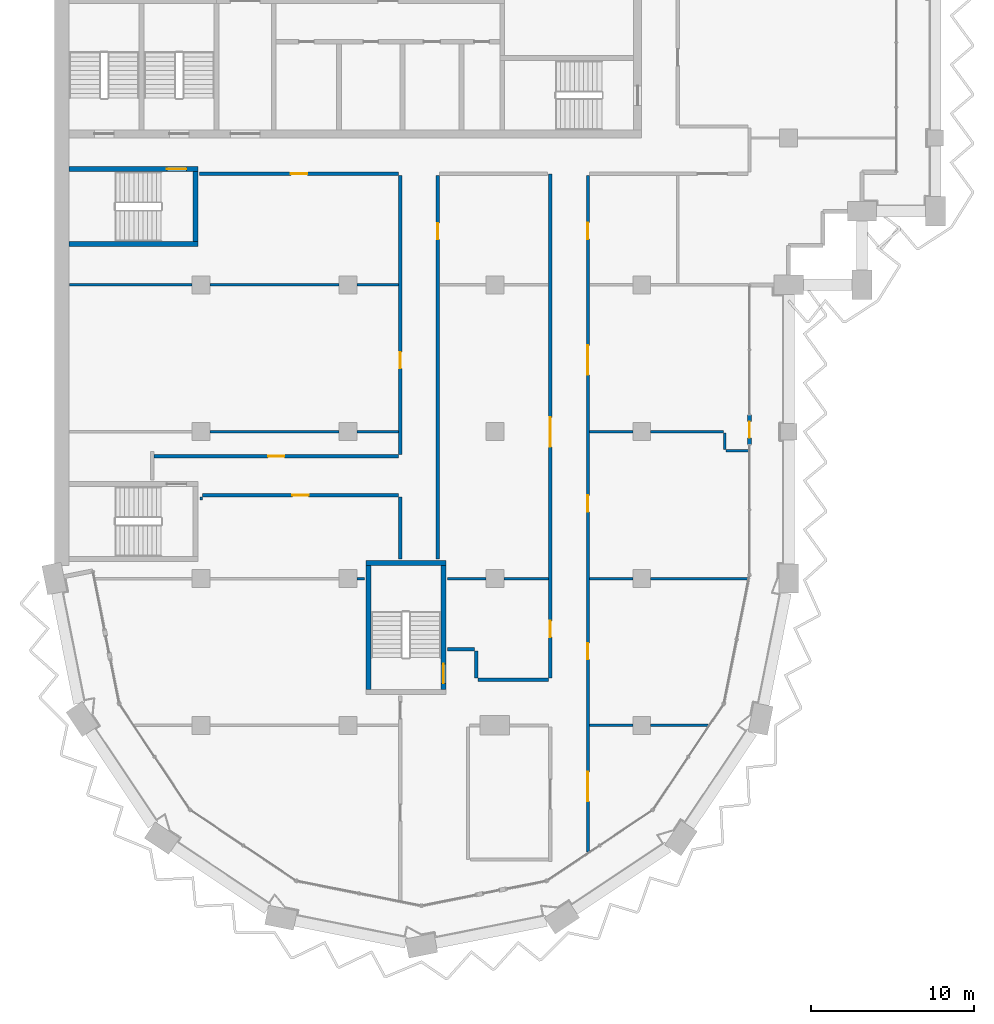
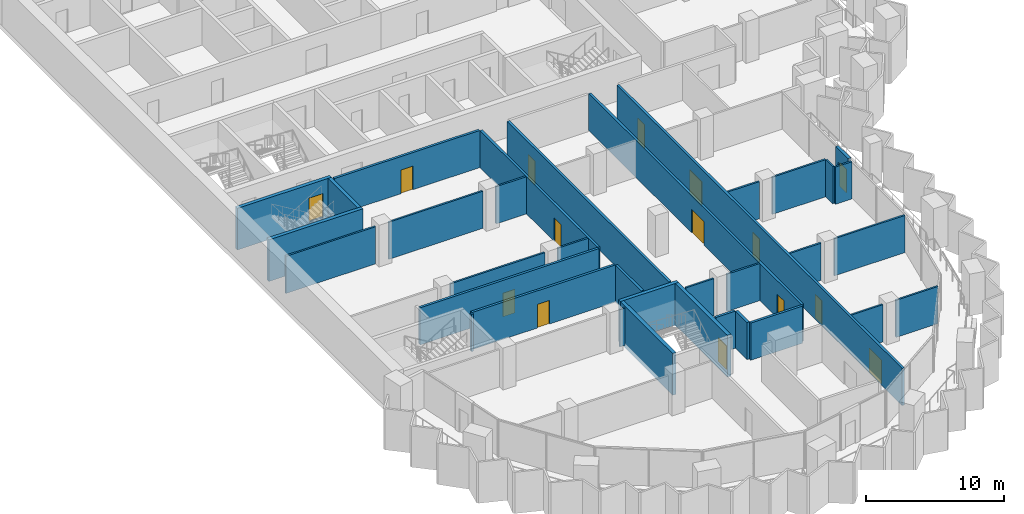
# One storey, part 8 of 17: 35 walls, 15 doors, 15 openings.
"""IFC4 building model written with IfcOpenShell, lengths in metres."""

from ifc_helpers import new_model, si_unit, direction, frame, frame_2d, origin, place, context, subcontext, project, spatial, rectangle, extrude, material, layer, layer_set, type_object, element, fill, save


model = new_model("IFC4")

# Units and contexts
model_context = context("Model", 3, precision=1e-05, world=origin(), true_north=direction((0.0, 1.0)))
body_context = subcontext(model_context, "Body", "Model", "MODEL_VIEW")
ifc_project = project(units=[si_unit("LENGTHUNIT", "METRE"), si_unit("AREAUNIT", "SQUARE_METRE"), si_unit("VOLUMEUNIT", "CUBIC_METRE"), si_unit("PLANEANGLEUNIT", "RADIAN"), si_unit("MASSUNIT", "GRAM", prefix="KILO")], contexts=[model_context])

# Site, building, storey
site_placement = place(None, origin())
site = spatial("IfcSite", under=ifc_project, at=site_placement, CompositionType="ELEMENT")
building_placement = place(site_placement, origin())
building = spatial("IfcBuilding", under=site, at=building_placement, Name="Hunhe Ridgeline Campus", CompositionType="ELEMENT")
storey_placement = place(building_placement, frame((0.0, 0.0, 205.0)))
storey = spatial("IfcBuildingStorey", under=building, at=storey_placement, Name="L52", CompositionType="ELEMENT", Elevation=205.0)

# Walls
ifc_material_1 = material(Name="Gypsum board partition")
ifc_layer_1 = layer(ifc_material_1, 0.199951171875)
ifc_layer_set_1 = layer_set([ifc_layer_1], Name="Corridor partition 200 gypsum board on steel studs")
wall_type_1 = type_object("IfcWallType", Name="Corridor partition 200 gypsum board on steel studs", PredefinedType="PARTITIONING", material=ifc_layer_set_1)
wall_1_placement = place(storey_placement, frame((25.949951171875, 29.799072265625, 0.0), z_axis=(0.0, 0.0, 1.0), x_axis=(1.0, 0.0, 0.0)))
element("IfcWall", 1, at=wall_1_placement, inside=storey, type_object=wall_type_1, Name="F-L52-wall-009", PredefinedType="PARTITIONING", context=body_context, shape_type="SweptSolid", body=[
    extrude(rectangle(XDim=4.35009765625, YDim=0.199951171875, at=frame_2d((2.175048828125, 0.0))), origin(), (0.0, 0.0, 1.0), 3.300048828125),
])
wall_2_placement = place(storey_placement, frame((24.10400390625, 31.675048828125, 0.0), z_axis=(0.0, 0.0, 1.0), x_axis=(1.0, 0.0, 0.0)))
element("IfcWall", 2, at=wall_2_placement, inside=storey, type_object=wall_type_1, Name="F-L52-wall-010", PredefinedType="PARTITIONING", context=body_context, shape_type="SweptSolid", body=[
    extrude(rectangle(XDim=1.64599609375, YDim=0.199951171875, at=frame_2d((0.822998046875, 0.0))), origin(), (0.0, 0.0, 1.0), 3.300048828125),
])

# Wall, opening, door
wall_3_placement = place(storey_placement, frame((21.10009765625, 41.10009765625, 0.0), z_axis=(0.0, 0.0, 1.0), x_axis=(-1.0, 0.0, 0.0)))
wall_3 = element("IfcWall", 3, at=wall_3_placement, inside=storey, type_object=wall_type_1, Name="F-L52-wall-018", PredefinedType="PARTITIONING", context=body_context, shape_type="SweptSolid", body=[
    extrude(rectangle(XDim=12.025146484375, YDim=0.199951171875, at=frame_2d((6.0126953125, 0.0))), origin(), (0.0, 0.0, 1.0), 3.300048828125),
])
opening_1_placement = place(wall_3_placement, frame((5.512451171875, 0.0, 0.0)))
opening_1 = element("IfcOpeningElement", 4, at=opening_1_placement, cuts=wall_3, Name="Opening RD1-008", PredefinedType="OPENING", context=body_context, shape_type="SweptSolid", body=[
    extrude(rectangle(XDim=1.0, YDim=2.10009765625, at=frame_2d((0.5, 1.050048828125))), frame((0.0, 0.10009765625, 0.0), z_axis=(0.0, -1.0, 0.0), x_axis=(1.0, 0.0, 0.0)), (0.0, 0.0, 1.0), 0.199951171875),
])
ifc_material_2 = material(Name="Timber door leaf", Category="wood")
door_type_1 = type_object("IfcDoorType", Name="Single fire door 1000x2100 timber FD60", OperationType="NOTDEFINED", PredefinedType="DOOR", material=ifc_material_2)
door_1_placement = place(opening_1_placement, origin())
door_1 = element("IfcDoor", 5, at=door_1_placement, inside=storey, type_object=door_type_1, Name="F-L52-door-008", OperationType="SINGLE_SWING_LEFT", OverallHeight=2.10009765625, OverallWidth=1.0, PredefinedType="DOOR", context=body_context, shape_type="SweptSolid", body=[
    extrude(rectangle(XDim=1.0, YDim=2.10009765625, at=frame_2d((0.5, 1.050048828125))), frame((0.0, 0.02490234375, 0.0), z_axis=(0.0, -1.0, 0.0), x_axis=(1.0, 0.0, 0.0)), (0.0, 0.0, 1.0), 0.050048828125),
])
fill(opening_1, door_1)

wall_4_placement = place(storey_placement, frame((6.10009765625, 43.5, 0.0), z_axis=(0.0, 0.0, 1.0), x_axis=(1.0, 0.0, 0.0)))
wall_4 = element("IfcWall", 6, at=wall_4_placement, inside=storey, type_object=wall_type_1, Name="F-L52-wall-019", PredefinedType="PARTITIONING", context=body_context, shape_type="SweptSolid", body=[
    extrude(rectangle(XDim=15.0, YDim=0.199951171875, at=frame_2d((7.5, 0.0))), origin(), (0.0, 0.0, 1.0), 3.300048828125),
])
opening_2_placement = place(wall_4_placement, frame((7.0, 0.0, 0.0)))
opening_2 = element("IfcOpeningElement", 7, at=opening_2_placement, cuts=wall_4, Name="Opening RD1-009", PredefinedType="OPENING", context=body_context, shape_type="SweptSolid", body=[
    extrude(rectangle(XDim=1.0, YDim=2.10009765625, at=frame_2d((0.5, 1.050048828125))), frame((0.0, 0.10009765625, 0.0), z_axis=(0.0, -1.0, 0.0), x_axis=(1.0, 0.0, 0.0)), (0.0, 0.0, 1.0), 0.199951171875),
])
door_2_placement = place(opening_2_placement, origin())
door_2 = element("IfcDoor", 8, at=door_2_placement, inside=storey, type_object=door_type_1, Name="F-L52-door-009", OperationType="SINGLE_SWING_RIGHT", OverallHeight=2.10009765625, OverallWidth=1.0, PredefinedType="DOOR", context=body_context, shape_type="SweptSolid", body=[
    extrude(rectangle(XDim=1.0, YDim=2.10009765625, at=frame_2d((0.5, 1.050048828125))), frame((0.0, 0.02490234375, 0.0), z_axis=(0.0, -1.0, 0.0), x_axis=(1.0, 0.0, 0.0)), (0.0, 0.0, 1.0), 0.050048828125),
])
fill(opening_2, door_2)

wall_5_placement = place(storey_placement, frame((21.10009765625, 60.800048828125, 0.0), z_axis=(0.0, 0.0, 1.0), x_axis=(-1.0, 0.0, 0.0)))
wall_5 = element("IfcWall", 9, at=wall_5_placement, inside=storey, type_object=wall_type_1, Name="F-L52-wall-033", PredefinedType="PARTITIONING", context=body_context, shape_type="SweptSolid", body=[
    extrude(rectangle(XDim=12.196044921875, YDim=0.199951171875, at=frame_2d((6.09814453125, 0.0))), origin(), (0.0, 0.0, 1.0), 3.300048828125),
])
opening_3_placement = place(wall_5_placement, frame((5.597900390625, 0.0, 0.0)))
opening_3 = element("IfcOpeningElement", 10, at=opening_3_placement, cuts=wall_5, Name="Opening RD1-015", PredefinedType="OPENING", context=body_context, shape_type="SweptSolid", body=[
    extrude(rectangle(XDim=1.0, YDim=2.10009765625, at=frame_2d((0.5, 1.050048828125))), frame((0.0, 0.10009765625, 0.0), z_axis=(0.0, -1.0, 0.0), x_axis=(1.0, 0.0, 0.0)), (0.0, 0.0, 1.0), 0.199951171875),
])
door_3_placement = place(opening_3_placement, origin())
door_3 = element("IfcDoor", 11, at=door_3_placement, inside=storey, type_object=door_type_1, Name="F-L52-door-015", OperationType="SINGLE_SWING_LEFT", OverallHeight=2.10009765625, OverallWidth=1.0, PredefinedType="DOOR", context=body_context, shape_type="SweptSolid", body=[
    extrude(rectangle(XDim=1.0, YDim=2.10009765625, at=frame_2d((0.5, 1.050048828125))), frame((0.0, 0.02490234375, 0.0), z_axis=(0.0, -1.0, 0.0), x_axis=(1.0, 0.0, 0.0)), (0.0, 0.0, 1.0), 0.050048828125),
])
fill(opening_3, door_3)

# Wall
wall_6_placement = place(storey_placement, frame((21.199951171875, 37.2041015625, 0.0), z_axis=(0.0, 0.0, 1.0), x_axis=(0.0, 1.0, 0.0)))
element("IfcWall", 12, at=wall_6_placement, inside=storey, type_object=wall_type_1, Name="F-L52-wall-048", PredefinedType="PARTITIONING", context=body_context, shape_type="SweptSolid", body=[
    extrude(rectangle(XDim=3.7958984375, YDim=0.199951171875, at=frame_2d((1.89794921875, 0.0))), origin(), (0.0, 0.0, 1.0), 3.300048828125),
])

# Wall, opening, door
wall_7_placement = place(storey_placement, frame((21.199951171875, 43.60009765625, 0.0), z_axis=(0.0, 0.0, 1.0), x_axis=(0.0, 1.0, 0.0)))
wall_7 = element("IfcWall", 13, at=wall_7_placement, inside=storey, type_object=wall_type_1, Name="F-L52-wall-049", PredefinedType="PARTITIONING", context=body_context, shape_type="SweptSolid", body=[
    extrude(rectangle(XDim=17.099853515625, YDim=0.199951171875, at=frame_2d((8.5498046875, 0.0))), origin(), (0.0, 0.0, 1.0), 3.300048828125),
])
opening_4_placement = place(wall_7_placement, frame((5.28369140625, 0.0, 0.0)))
opening_4 = element("IfcOpeningElement", 14, at=opening_4_placement, cuts=wall_7, Name="Opening RD1-011", PredefinedType="OPENING", context=body_context, shape_type="SweptSolid", body=[
    extrude(rectangle(XDim=1.0, YDim=2.10009765625, at=frame_2d((0.5, 1.050048828125))), frame((0.0, 0.10009765625, 0.0), z_axis=(0.0, -1.0, 0.0), x_axis=(1.0, 0.0, 0.0)), (0.0, 0.0, 1.0), 0.199951171875),
])
door_4_placement = place(opening_4_placement, origin())
door_4 = element("IfcDoor", 15, at=door_4_placement, inside=storey, type_object=door_type_1, Name="F-L52-door-011", OperationType="SINGLE_SWING_RIGHT", OverallHeight=2.10009765625, OverallWidth=1.0, PredefinedType="DOOR", context=body_context, shape_type="SweptSolid", body=[
    extrude(rectangle(XDim=1.0, YDim=2.10009765625, at=frame_2d((0.5, 1.050048828125))), frame((0.0, 0.02490234375, 0.0), z_axis=(0.0, -1.0, 0.0), x_axis=(1.0, 0.0, 0.0)), (0.0, 0.0, 1.0), 0.050048828125),
])
fill(opening_4, door_4)

wall_8_placement = place(storey_placement, frame((23.5, 60.699951171875, 0.0), z_axis=(0.0, 0.0, 1.0), x_axis=(0.0, -1.0, 0.0)))
wall_8 = element("IfcWall", 16, at=wall_8_placement, inside=storey, type_object=wall_type_1, Name="F-L52-wall-050", PredefinedType="PARTITIONING", context=body_context, shape_type="SweptSolid", body=[
    extrude(rectangle(XDim=23.495849609375, YDim=0.199951171875, at=frame_2d((11.748046875, 0.0))), origin(), (0.0, 0.0, 1.0), 3.300048828125),
])
opening_5_placement = place(wall_8_placement, frame((2.91064453125, 0.0, 0.0)))
opening_5 = element("IfcOpeningElement", 17, at=opening_5_placement, cuts=wall_8, Name="Opening RD1-013", PredefinedType="OPENING", context=body_context, shape_type="SweptSolid", body=[
    extrude(rectangle(XDim=1.0, YDim=2.10009765625, at=frame_2d((0.5, 1.050048828125))), frame((0.0, 0.10009765625, 0.0), z_axis=(0.0, -1.0, 0.0), x_axis=(1.0, 0.0, 0.0)), (0.0, 0.0, 1.0), 0.199951171875),
])
door_5_placement = place(opening_5_placement, origin())
door_5 = element("IfcDoor", 18, at=door_5_placement, inside=storey, type_object=door_type_1, Name="F-L52-door-013", OperationType="SINGLE_SWING_LEFT", OverallHeight=2.10009765625, OverallWidth=1.0, PredefinedType="DOOR", context=body_context, shape_type="SweptSolid", body=[
    extrude(rectangle(XDim=1.0, YDim=2.10009765625, at=frame_2d((0.5, 1.050048828125))), frame((0.0, 0.02490234375, 0.0), z_axis=(0.0, -1.0, 0.0), x_axis=(1.0, 0.0, 0.0)), (0.0, 0.0, 1.0), 0.050048828125),
])
fill(opening_5, door_5)

# Wall
wall_9_placement = place(storey_placement, frame((25.85009765625, 31.574951171875, 0.0), z_axis=(0.0, 0.0, 1.0), x_axis=(0.0, -1.0, 0.0)))
element("IfcWall", 19, at=wall_9_placement, inside=storey, type_object=wall_type_1, Name="F-L52-wall-052", PredefinedType="PARTITIONING", context=body_context, shape_type="SweptSolid", body=[
    extrude(rectangle(XDim=1.676025390625, YDim=0.199951171875, at=frame_2d((0.837890625, 0.0))), origin(), (0.0, 0.0, 1.0), 3.300048828125),
])

# Wall, openings, doors
wall_10_placement = place(storey_placement, frame((30.39990234375, 29.89892578125, 0.0), z_axis=(0.0, 0.0, 1.0), x_axis=(0.0, 1.0, 0.0)))
wall_10 = element("IfcWall", 20, at=wall_10_placement, inside=storey, type_object=wall_type_1, Name="F-L52-wall-054", PredefinedType="PARTITIONING", context=body_context, shape_type="SweptSolid", body=[
    extrude(rectangle(XDim=30.901123046875, YDim=0.199951171875, at=frame_2d((15.45068359375, 0.0))), origin(), (0.0, 0.0, 1.0), 3.300048828125),
])
opening_6_placement = place(wall_10_placement, frame((2.5146484375, 0.0, 0.0)))
opening_6 = element("IfcOpeningElement", 21, at=opening_6_placement, cuts=wall_10, Name="Opening RD1-006", PredefinedType="OPENING", context=body_context, shape_type="SweptSolid", body=[
    extrude(rectangle(XDim=1.0, YDim=2.10009765625, at=frame_2d((0.5, 1.050048828125))), frame((0.0, 0.10009765625, 0.0), z_axis=(0.0, -1.0, 0.0), x_axis=(1.0, 0.0, 0.0)), (0.0, 0.0, 1.0), 0.199951171875),
])
opening_7_placement = place(wall_10_placement, frame((14.173583984375, 0.0, 0.0)))
opening_7 = element("IfcOpeningElement", 22, at=opening_7_placement, cuts=wall_10, Name="Opening RD2-010", PredefinedType="OPENING", context=body_context, shape_type="SweptSolid", body=[
    extrude(rectangle(XDim=1.800048828125, YDim=2.10009765625, at=frame_2d((0.89990234375, 1.050048828125))), frame((0.0, 0.10009765625, 0.0), z_axis=(0.0, -1.0, 0.0), x_axis=(1.0, 0.0, 0.0)), (0.0, 0.0, 1.0), 0.199951171875),
])
door_type_2 = type_object("IfcDoorType", Name="Double fire door 1800x2100 timber FD60", OperationType="DOUBLE_DOOR_SINGLE_SWING", PredefinedType="DOOR", material=ifc_material_2)
door_6_placement = place(opening_7_placement, origin())
door_6 = element("IfcDoor", 23, at=door_6_placement, inside=storey, type_object=door_type_2, Name="F-L52-door-010", OperationType="DOUBLE_DOOR_SINGLE_SWING", OverallHeight=2.10009765625, OverallWidth=1.800048828125, PredefinedType="DOOR", context=body_context, shape_type="SweptSolid", body=[
    extrude(rectangle(XDim=1.800048828125, YDim=2.10009765625, at=frame_2d((0.89990234375, 1.050048828125))), frame((0.0, 0.02490234375, 0.0), z_axis=(0.0, -1.0, 0.0), x_axis=(1.0, 0.0, 0.0)), (0.0, 0.0, 1.0), 0.050048828125),
])
fill(opening_7, door_6)
door_7_placement = place(opening_6_placement, origin())
door_7 = element("IfcDoor", 24, at=door_7_placement, inside=storey, type_object=door_type_1, Name="F-L52-door-006", OperationType="SINGLE_SWING_RIGHT", OverallHeight=2.10009765625, OverallWidth=1.0, PredefinedType="DOOR", context=body_context, shape_type="SweptSolid", body=[
    extrude(rectangle(XDim=1.0, YDim=2.10009765625, at=frame_2d((0.5, 1.050048828125))), frame((0.0, 0.02490234375, 0.0), z_axis=(0.0, -1.0, 0.0), x_axis=(1.0, 0.0, 0.0)), (0.0, 0.0, 1.0), 0.050048828125),
])
fill(opening_6, door_7)

wall_11_placement = place(storey_placement, frame((32.699951171875, 60.699951171875, 0.0), z_axis=(0.0, 0.0, 1.0), x_axis=(0.0, -1.0, 0.0)))
wall_11 = element("IfcWall", 25, at=wall_11_placement, inside=storey, type_object=wall_type_1, Name="F-L52-wall-055", PredefinedType="PARTITIONING", context=body_context, shape_type="SweptSolid", body=[
    extrude(rectangle(XDim=41.472412109375, YDim=0.199951171875, at=frame_2d((20.736328125, 0.0))), origin(), (0.0, 0.0, 1.0), 3.300048828125),
])
opening_8_placement = place(wall_11_placement, frame((36.551025390625, 0.0, 0.0)))
opening_8 = element("IfcOpeningElement", 26, at=opening_8_placement, cuts=wall_11, Name="Opening RD2-003", PredefinedType="OPENING", context=body_context, shape_type="SweptSolid", body=[
    extrude(rectangle(XDim=1.800048828125, YDim=2.10009765625, at=frame_2d((0.89990234375, 1.050048828125))), frame((0.0, 0.10009765625, 0.0), z_axis=(0.0, -1.0, 0.0), x_axis=(1.0, 0.0, 0.0)), (0.0, 0.0, 1.0), 0.199951171875),
])
opening_9_placement = place(wall_11_placement, frame((28.656494140625, 0.0, 0.0)))
opening_9 = element("IfcOpeningElement", 27, at=opening_9_placement, cuts=wall_11, Name="Opening RD1-005", PredefinedType="OPENING", context=body_context, shape_type="SweptSolid", body=[
    extrude(rectangle(XDim=1.0, YDim=2.10009765625, at=frame_2d((0.5, 1.050048828125))), frame((0.0, 0.10009765625, 0.0), z_axis=(0.0, -1.0, 0.0), x_axis=(1.0, 0.0, 0.0)), (0.0, 0.0, 1.0), 0.199951171875),
])
opening_10_placement = place(wall_11_placement, frame((19.60791015625, 0.0, 0.0)))
opening_10 = element("IfcOpeningElement", 28, at=opening_10_placement, cuts=wall_11, Name="Opening RD1-007", PredefinedType="OPENING", context=body_context, shape_type="SweptSolid", body=[
    extrude(rectangle(XDim=1.0, YDim=2.10009765625, at=frame_2d((0.5, 1.050048828125))), frame((0.0, 0.10009765625, 0.0), z_axis=(0.0, -1.0, 0.0), x_axis=(1.0, 0.0, 0.0)), (0.0, 0.0, 1.0), 0.199951171875),
])
opening_11_placement = place(wall_11_placement, frame((10.41064453125, 0.0, 0.0)))
opening_11 = element("IfcOpeningElement", 29, at=opening_11_placement, cuts=wall_11, Name="Opening RD2-012", PredefinedType="OPENING", context=body_context, shape_type="SweptSolid", body=[
    extrude(rectangle(XDim=1.800048828125, YDim=2.10009765625, at=frame_2d((0.89990234375, 1.050048828125))), frame((0.0, 0.10009765625, 0.0), z_axis=(0.0, -1.0, 0.0), x_axis=(1.0, 0.0, 0.0)), (0.0, 0.0, 1.0), 0.199951171875),
])
opening_12_placement = place(wall_11_placement, frame((2.893310546875, 0.0, 0.0)))
opening_12 = element("IfcOpeningElement", 30, at=opening_12_placement, cuts=wall_11, Name="Opening RD1-014", PredefinedType="OPENING", context=body_context, shape_type="SweptSolid", body=[
    extrude(rectangle(XDim=1.0, YDim=2.10009765625, at=frame_2d((0.5, 1.050048828125))), frame((0.0, 0.10009765625, 0.0), z_axis=(0.0, -1.0, 0.0), x_axis=(1.0, 0.0, 0.0)), (0.0, 0.0, 1.0), 0.199951171875),
])
door_8_placement = place(opening_8_placement, origin())
door_8 = element("IfcDoor", 31, at=door_8_placement, inside=storey, type_object=door_type_2, Name="F-L52-door-003", OperationType="DOUBLE_DOOR_SINGLE_SWING", OverallHeight=2.10009765625, OverallWidth=1.800048828125, PredefinedType="DOOR", context=body_context, shape_type="SweptSolid", body=[
    extrude(rectangle(XDim=1.800048828125, YDim=2.10009765625, at=frame_2d((0.89990234375, 1.050048828125))), frame((0.0, 0.02490234375, 0.0), z_axis=(0.0, -1.0, 0.0), x_axis=(1.0, 0.0, 0.0)), (0.0, 0.0, 1.0), 0.050048828125),
])
fill(opening_8, door_8)
door_9_placement = place(opening_11_placement, origin())
door_9 = element("IfcDoor", 32, at=door_9_placement, inside=storey, type_object=door_type_2, Name="F-L52-door-012", OperationType="DOUBLE_DOOR_SINGLE_SWING", OverallHeight=2.10009765625, OverallWidth=1.800048828125, PredefinedType="DOOR", context=body_context, shape_type="SweptSolid", body=[
    extrude(rectangle(XDim=1.800048828125, YDim=2.10009765625, at=frame_2d((0.89990234375, 1.050048828125))), frame((0.0, 0.02490234375, 0.0), z_axis=(0.0, -1.0, 0.0), x_axis=(1.0, 0.0, 0.0)), (0.0, 0.0, 1.0), 0.050048828125),
])
fill(opening_11, door_9)
door_10_placement = place(opening_9_placement, origin())
door_10 = element("IfcDoor", 33, at=door_10_placement, inside=storey, type_object=door_type_1, Name="F-L52-door-005", OperationType="SINGLE_SWING_LEFT", OverallHeight=2.10009765625, OverallWidth=1.0, PredefinedType="DOOR", context=body_context, shape_type="SweptSolid", body=[
    extrude(rectangle(XDim=1.0, YDim=2.10009765625, at=frame_2d((0.5, 1.050048828125))), frame((0.0, 0.02490234375, 0.0), z_axis=(0.0, -1.0, 0.0), x_axis=(1.0, 0.0, 0.0)), (0.0, 0.0, 1.0), 0.050048828125),
])
fill(opening_9, door_10)
door_11_placement = place(opening_10_placement, origin())
door_11 = element("IfcDoor", 34, at=door_11_placement, inside=storey, type_object=door_type_1, Name="F-L52-door-007", OperationType="SINGLE_SWING_LEFT", OverallHeight=2.10009765625, OverallWidth=1.0, PredefinedType="DOOR", context=body_context, shape_type="SweptSolid", body=[
    extrude(rectangle(XDim=1.0, YDim=2.10009765625, at=frame_2d((0.5, 1.050048828125))), frame((0.0, 0.02490234375, 0.0), z_axis=(0.0, -1.0, 0.0), x_axis=(1.0, 0.0, 0.0)), (0.0, 0.0, 1.0), 0.050048828125),
])
fill(opening_10, door_11)
door_12_placement = place(opening_12_placement, origin())
door_12 = element("IfcDoor", 35, at=door_12_placement, inside=storey, type_object=door_type_1, Name="F-L52-door-014", OperationType="SINGLE_SWING_RIGHT", OverallHeight=2.10009765625, OverallWidth=1.0, PredefinedType="DOOR", context=body_context, shape_type="SweptSolid", body=[
    extrude(rectangle(XDim=1.0, YDim=2.10009765625, at=frame_2d((0.5, 1.050048828125))), frame((0.0, 0.02490234375, 0.0), z_axis=(0.0, -1.0, 0.0), x_axis=(1.0, 0.0, 0.0)), (0.0, 0.0, 1.0), 0.050048828125),
])
fill(opening_12, door_12)

# Wall, opening, door
ifc_material_3 = material(Name="Concrete C30", Category="concrete")
ifc_layer_2 = layer(ifc_material_3, 0.25)
ifc_layer_set_2 = layer_set([ifc_layer_2], Name="Loggia door pier wall 250 Concrete C30")
wall_type_2 = type_object("IfcWallType", Name="Loggia door pier wall 250 Concrete C30", PredefinedType="SOLIDWALL", material=ifc_layer_set_2)
wall_12_placement = place(storey_placement, frame((42.59912109375, 44.218505859375, 0.0), z_axis=(0.0, 0.0, 1.0), x_axis=(0.0, 1.0, 0.0)))
wall_12 = element("IfcWall", 36, at=wall_12_placement, inside=storey, type_object=wall_type_2, Name="Loggia door pier 3", PredefinedType="SOLIDWALL", context=body_context, shape_type="SweptSolid", body=[
    extrude(rectangle(XDim=1.800048828125, YDim=0.25, at=frame_2d((0.89990234375, 0.0))), origin(), (0.0, 0.0, 1.0), 3.300048828125),
])
opening_13_placement = place(wall_12_placement, frame((0.39990234375, 0.0, 0.0)))
opening_13 = element("IfcOpeningElement", 37, at=opening_13_placement, cuts=wall_12, Name="Opening BD405", PredefinedType="OPENING", context=body_context, shape_type="SweptSolid", body=[
    extrude(rectangle(XDim=1.0, YDim=2.10009765625, at=frame_2d((0.5, 1.050048828125))), frame((0.0, 0.125, 0.0), z_axis=(0.0, -1.0, 0.0), x_axis=(1.0, 0.0, 0.0)), (0.0, 0.0, 1.0), 0.25),
])
ifc_material_4 = material(Name="Aluminium 6063", Category="aluminium")
door_type_3 = type_object("IfcDoorType", Name="Loggia glazed door 1000x2100", OperationType="NOTDEFINED", PredefinedType="DOOR", material=ifc_material_4)
door_13_placement = place(opening_13_placement, frame((1.0, 0.0, 0.0), z_axis=(0.0, 0.0, 1.0), x_axis=(-1.0, 0.0, 0.0)))
door_13 = element("IfcDoor", 38, at=door_13_placement, inside=storey, type_object=door_type_3, Name="Loggia door BD405", OperationType="SINGLE_SWING_RIGHT", OverallHeight=2.10009765625, OverallWidth=1.0, PredefinedType="DOOR", context=body_context, shape_type="SweptSolid", body=[
    extrude(rectangle(XDim=1.0, YDim=2.10009765625, at=frame_2d((0.5, 1.050048828125))), frame((0.0, 0.02490234375, 0.0), z_axis=(0.0, -1.0, 0.0), x_axis=(1.0, 0.0, 0.0)), (0.0, 0.0, 1.0), 0.050048828125),
])
fill(opening_13, door_13)

# Walls
ifc_layer_3 = layer(ifc_material_1, 0.14990234375)
ifc_layer_set_3 = layer_set([ifc_layer_3], Name="Room partition 150 gypsum board on steel studs")
wall_type_3 = type_object("IfcWallType", Name="Room partition 150 gypsum board on steel studs", PredefinedType="PARTITIONING", material=ifc_layer_set_3)
wall_13_placement = place(storey_placement, frame((32.800048828125, 27.0, 0.0), z_axis=(0.0, 0.0, 1.0), x_axis=(1.0, 0.0, 0.0)))
element("IfcWall", 39, at=wall_13_placement, inside=storey, type_object=wall_type_3, Name="F-L52-wall-007", PredefinedType="PARTITIONING", context=body_context, shape_type="SweptSolid", body=[
    extrude(rectangle(XDim=2.64990234375, YDim=0.14990234375, at=frame_2d((1.324951171875, 0.0))), origin(), (0.0, 0.0, 1.0), 3.300048828125),
])
wall_14_placement = place(storey_placement, frame((36.550048828125, 27.0, 0.0), z_axis=(0.0, 0.0, 1.0), x_axis=(1.0, 0.0, 0.0)))
element("IfcWall", 40, at=wall_14_placement, inside=storey, type_object=wall_type_3, Name="F-L52-wall-008", PredefinedType="PARTITIONING", context=body_context, shape_type="SweptSolid", body=[
    extrude(rectangle(XDim=3.5244140625, YDim=0.14990234375, at=frame_2d((1.76220703125, 0.0))), origin(), (0.0, 0.0, 1.0), 3.300048828125),
])
wall_15_placement = place(storey_placement, frame((18.550048828125, 36.0, 0.0), z_axis=(0.0, 0.0, 1.0), x_axis=(1.0, 0.0, 0.0)))
element("IfcWall", 41, at=wall_15_placement, inside=storey, type_object=wall_type_3, Name="F-L52-wall-013", PredefinedType="PARTITIONING", context=body_context, shape_type="SweptSolid", body=[
    extrude(rectangle(XDim=0.446044921875, YDim=0.14990234375, at=frame_2d((0.22314453125, 0.0))), origin(), (0.0, 0.0, 1.0), 3.300048828125),
])
wall_16_placement = place(storey_placement, frame((24.10400390625, 36.0, 0.0), z_axis=(0.0, 0.0, 1.0), x_axis=(1.0, 0.0, 0.0)))
element("IfcWall", 42, at=wall_16_placement, inside=storey, type_object=wall_type_3, Name="F-L52-wall-014", PredefinedType="PARTITIONING", context=body_context, shape_type="SweptSolid", body=[
    extrude(rectangle(XDim=2.345947265625, YDim=0.14990234375, at=frame_2d((1.1728515625, 0.0))), origin(), (0.0, 0.0, 1.0), 3.300048828125),
])
wall_17_placement = place(storey_placement, frame((27.550048828125, 36.0, 0.0), z_axis=(0.0, 0.0, 1.0), x_axis=(1.0, 0.0, 0.0)))
element("IfcWall", 43, at=wall_17_placement, inside=storey, type_object=wall_type_3, Name="F-L52-wall-015", PredefinedType="PARTITIONING", context=body_context, shape_type="SweptSolid", body=[
    extrude(rectangle(XDim=2.75, YDim=0.14990234375, at=frame_2d((1.375, 0.0))), origin(), (0.0, 0.0, 1.0), 3.300048828125),
])
wall_18_placement = place(storey_placement, frame((32.800048828125, 36.0, 0.0), z_axis=(0.0, 0.0, 1.0), x_axis=(1.0, 0.0, 0.0)))
element("IfcWall", 44, at=wall_18_placement, inside=storey, type_object=wall_type_3, Name="F-L52-wall-016", PredefinedType="PARTITIONING", context=body_context, shape_type="SweptSolid", body=[
    extrude(rectangle(XDim=2.64990234375, YDim=0.14990234375, at=frame_2d((1.324951171875, 0.0))), origin(), (0.0, 0.0, 1.0), 3.300048828125),
])
wall_19_placement = place(storey_placement, frame((36.550048828125, 36.0, 0.0), z_axis=(0.0, 0.0, 1.0), x_axis=(1.0, 0.0, 0.0)))
element("IfcWall", 45, at=wall_19_placement, inside=storey, type_object=wall_type_3, Name="F-L52-wall-017", PredefinedType="PARTITIONING", context=body_context, shape_type="SweptSolid", body=[
    extrude(rectangle(XDim=5.94677734375, YDim=0.14990234375, at=frame_2d((2.973388671875, 0.0))), origin(), (0.0, 0.0, 1.0), 3.300048828125),
])
wall_20_placement = place(storey_placement, frame((41.174072265625, 43.819091796875, 0.0), z_axis=(0.0, 0.0, 1.0), x_axis=(1.0, 0.0, 0.0)))
element("IfcWall", 46, at=wall_20_placement, inside=storey, type_object=wall_type_3, Name="F-L52-wall-020", PredefinedType="PARTITIONING", context=body_context, shape_type="SweptSolid", body=[
    extrude(rectangle(XDim=1.37109375, YDim=0.14990234375, at=frame_2d((0.685546875, 0.0))), origin(), (0.0, 0.0, 1.0), 3.300048828125),
])
wall_21_placement = place(storey_placement, frame((9.550048828125, 45.0, 0.0), z_axis=(0.0, 0.0, 1.0), x_axis=(1.0, 0.0, 0.0)))
element("IfcWall", 47, at=wall_21_placement, inside=storey, type_object=wall_type_3, Name="F-L52-wall-022", PredefinedType="PARTITIONING", context=body_context, shape_type="SweptSolid", body=[
    extrude(rectangle(XDim=7.89990234375, YDim=0.14990234375, at=frame_2d((3.949951171875, 0.0))), origin(), (0.0, 0.0, 1.0), 3.300048828125),
])
wall_22_placement = place(storey_placement, frame((18.550048828125, 45.0, 0.0), z_axis=(0.0, 0.0, 1.0), x_axis=(1.0, 0.0, 0.0)))
element("IfcWall", 48, at=wall_22_placement, inside=storey, type_object=wall_type_3, Name="F-L52-wall-023", PredefinedType="PARTITIONING", context=body_context, shape_type="SweptSolid", body=[
    extrude(rectangle(XDim=2.550048828125, YDim=0.14990234375, at=frame_2d((1.27490234375, 0.0))), origin(), (0.0, 0.0, 1.0), 3.300048828125),
])
wall_23_placement = place(storey_placement, frame((32.800048828125, 45.0, 0.0), z_axis=(0.0, 0.0, 1.0), x_axis=(1.0, 0.0, 0.0)))
element("IfcWall", 49, at=wall_23_placement, inside=storey, type_object=wall_type_3, Name="F-L52-wall-024", PredefinedType="PARTITIONING", context=body_context, shape_type="SweptSolid", body=[
    extrude(rectangle(XDim=2.64990234375, YDim=0.14990234375, at=frame_2d((1.324951171875, 0.0))), origin(), (0.0, 0.0, 1.0), 3.300048828125),
])
wall_24_placement = place(storey_placement, frame((36.550048828125, 45.0, 0.0), z_axis=(0.0, 0.0, 1.0), x_axis=(1.0, 0.0, 0.0)))
element("IfcWall", 50, at=wall_24_placement, inside=storey, type_object=wall_type_3, Name="F-L52-wall-025", PredefinedType="PARTITIONING", context=body_context, shape_type="SweptSolid", body=[
    extrude(rectangle(XDim=4.473876953125, YDim=0.14990234375, at=frame_2d((2.23681640625, 0.0))), origin(), (0.0, 0.0, 1.0), 3.300048828125),
])
wall_25_placement = place(storey_placement, frame((0.919921875, 54.0, 0.0), z_axis=(0.0, 0.0, 1.0), x_axis=(1.0, 0.0, 0.0)))
element("IfcWall", 51, at=wall_25_placement, inside=storey, type_object=wall_type_3, Name="F-L52-wall-026", PredefinedType="PARTITIONING", context=body_context, shape_type="SweptSolid", body=[
    extrude(rectangle(XDim=7.530029296875, YDim=0.14990234375, at=frame_2d((3.76513671875, 0.0))), origin(), (0.0, 0.0, 1.0), 3.300048828125),
])
wall_26_placement = place(storey_placement, frame((9.550048828125, 54.0, 0.0), z_axis=(0.0, 0.0, 1.0), x_axis=(1.0, 0.0, 0.0)))
element("IfcWall", 52, at=wall_26_placement, inside=storey, type_object=wall_type_3, Name="F-L52-wall-027", PredefinedType="PARTITIONING", context=body_context, shape_type="SweptSolid", body=[
    extrude(rectangle(XDim=7.89990234375, YDim=0.14990234375, at=frame_2d((3.949951171875, 0.0))), origin(), (0.0, 0.0, 1.0), 3.300048828125),
])
wall_27_placement = place(storey_placement, frame((18.550048828125, 54.0, 0.0), z_axis=(0.0, 0.0, 1.0), x_axis=(1.0, 0.0, 0.0)))
element("IfcWall", 53, at=wall_27_placement, inside=storey, type_object=wall_type_3, Name="F-L52-wall-028", PredefinedType="PARTITIONING", context=body_context, shape_type="SweptSolid", body=[
    extrude(rectangle(XDim=2.550048828125, YDim=0.14990234375, at=frame_2d((1.27490234375, 0.0))), origin(), (0.0, 0.0, 1.0), 3.300048828125),
])
wall_28_placement = place(storey_placement, frame((9.0, 41.0, 0.0), z_axis=(0.0, 0.0, 1.0), x_axis=(0.0, -1.0, 0.0)))
element("IfcWall", 54, at=wall_28_placement, inside=storey, type_object=wall_type_3, Name="F-L52-wall-046", PredefinedType="PARTITIONING", context=body_context, shape_type="SweptSolid", body=[
    extrude(rectangle(XDim=0.199951171875, YDim=0.14990234375, at=frame_2d((0.10009765625, 0.0))), origin(), (0.0, 0.0, 1.0), 3.300048828125),
])
wall_29_placement = place(storey_placement, frame((41.09912109375, 44.925048828125, 0.0), z_axis=(0.0, 0.0, 1.0), x_axis=(0.0, -1.0, 0.0)))
element("IfcWall", 55, at=wall_29_placement, inside=storey, type_object=wall_type_3, Name="F-L52-wall-058", PredefinedType="PARTITIONING", context=body_context, shape_type="SweptSolid", body=[
    extrude(rectangle(XDim=1.031005859375, YDim=0.14990234375, at=frame_2d((0.515625, 0.0))), origin(), (0.0, 0.0, 1.0), 3.300048828125),
])
ifc_material_5 = material(Name="Concrete C60", Category="concrete")
ifc_layer_4 = layer(ifc_material_5, 0.300048828125)
ifc_layer_set_4 = layer_set([ifc_layer_4], Name="Stair wall 300 reinforced concrete C60")
wall_type_4 = type_object("IfcWallType", Name="Stair wall 300 reinforced concrete C60", PredefinedType="SOLIDWALL", material=ifc_layer_set_4)
wall_30_placement = place(storey_placement, frame((19.10009765625, 36.949951171875, -0.39990234375), z_axis=(0.0, 0.0, 1.0), x_axis=(1.0, 0.0, 0.0)))
element("IfcWall", 56, at=wall_30_placement, inside=storey, type_object=wall_type_4, Name="L52 core wall 2", PredefinedType="SOLIDWALL", context=body_context, shape_type="SweptSolid", body=[
    extrude(rectangle(XDim=4.89990234375, YDim=0.300048828125, at=frame_2d((2.449951171875, 0.0))), origin(), (0.0, 0.0, 1.0), 3.699951171875),
])
wall_31_placement = place(storey_placement, frame((0.89990234375, 56.5, -0.39990234375), z_axis=(0.0, 0.0, 1.0), x_axis=(1.0, 0.0, 0.0)))
element("IfcWall", 57, at=wall_31_placement, inside=storey, type_object=wall_type_4, Name="L52 core wall 5", PredefinedType="SOLIDWALL", context=body_context, shape_type="SweptSolid", body=[
    extrude(rectangle(XDim=7.900146484375, YDim=0.300048828125, at=frame_2d((3.9501953125, 0.0))), origin(), (0.0, 0.0, 1.0), 3.699951171875),
])

# Wall, opening, door
wall_32_placement = place(storey_placement, frame((0.89990234375, 61.10009765625, -0.39990234375), z_axis=(0.0, 0.0, 1.0), x_axis=(1.0, 0.0, 0.0)))
wall_32 = element("IfcWall", 58, at=wall_32_placement, inside=storey, type_object=wall_type_4, Name="L52 core wall 6", PredefinedType="SOLIDWALL", context=body_context, shape_type="SweptSolid", body=[
    extrude(rectangle(XDim=7.900146484375, YDim=0.300048828125, at=frame_2d((3.9501953125, 0.0))), origin(), (0.0, 0.0, 1.0), 3.699951171875),
])
opening_14_placement = place(wall_32_placement, frame((6.0, 0.0, 0.39990234375)))
opening_14 = element("IfcOpeningElement", 59, at=opening_14_placement, cuts=wall_32, Name="Opening CD22", PredefinedType="OPENING", context=body_context, shape_type="SweptSolid", body=[
    extrude(rectangle(XDim=1.199951171875, YDim=2.10009765625, at=frame_2d((0.60009765625, 1.050048828125))), frame((0.0, 0.14990234375, 0.0), z_axis=(0.0, -1.0, 0.0), x_axis=(1.0, 0.0, 0.0)), (0.0, 0.0, 1.0), 0.300048828125),
])
ifc_material_6 = material(Name="Hollow metal fire door leaf")
door_type_4 = type_object("IfcDoorType", Name="Stair door 1200x2100 FD60", OperationType="SINGLE_SWING_LEFT", PredefinedType="DOOR", material=ifc_material_6)
door_14_placement = place(opening_14_placement, origin())
door_14 = element("IfcDoor", 60, at=door_14_placement, inside=storey, type_object=door_type_4, Name="L52 door W2", OperationType="SINGLE_SWING_RIGHT", OverallHeight=2.10009765625, OverallWidth=1.199951171875, PredefinedType="DOOR", context=body_context, shape_type="SweptSolid", body=[
    extrude(rectangle(XDim=1.199951171875, YDim=2.10009765625, at=frame_2d((0.60009765625, 1.050048828125))), frame((0.0, 0.02490234375, 0.0), z_axis=(0.0, -1.0, 0.0), x_axis=(1.0, 0.0, 0.0)), (0.0, 0.0, 1.0), 0.050048828125),
])
fill(opening_14, door_14)

# Walls
wall_33_placement = place(storey_placement, frame((8.64990234375, 56.64990234375, -0.39990234375), z_axis=(0.0, 0.0, 1.0), x_axis=(0.0, 1.0, 0.0)))
element("IfcWall", 61, at=wall_33_placement, inside=storey, type_object=wall_type_4, Name="L52 core wall 33", PredefinedType="SOLIDWALL", context=body_context, shape_type="SweptSolid", body=[
    extrude(rectangle(XDim=4.300048828125, YDim=0.300048828125, at=frame_2d((2.14990234375, 0.0))), origin(), (0.0, 0.0, 1.0), 3.699951171875),
])
wall_34_placement = place(storey_placement, frame((19.25, 29.199951171875, -0.39990234375), z_axis=(0.0, 0.0, 1.0), x_axis=(0.0, 1.0, 0.0)))
element("IfcWall", 62, at=wall_34_placement, inside=storey, type_object=wall_type_4, Name="L52 core wall 43", PredefinedType="SOLIDWALL", context=body_context, shape_type="SweptSolid", body=[
    extrude(rectangle(XDim=7.60009765625, YDim=0.300048828125, at=frame_2d((3.800048828125, 0.0))), origin(), (0.0, 0.0, 1.0), 3.699951171875),
])

# Wall, opening, door
wall_35_placement = place(storey_placement, frame((23.85009765625, 29.199951171875, -0.39990234375), z_axis=(0.0, 0.0, 1.0), x_axis=(0.0, 1.0, 0.0)))
wall_35 = element("IfcWall", 63, at=wall_35_placement, inside=storey, type_object=wall_type_4, Name="L52 core wall 48", PredefinedType="SOLIDWALL", context=body_context, shape_type="SweptSolid", body=[
    extrude(rectangle(XDim=7.60009765625, YDim=0.300048828125, at=frame_2d((3.800048828125, 0.0))), origin(), (0.0, 0.0, 1.0), 3.699951171875),
])
opening_15_placement = place(wall_35_placement, frame((0.375, 0.0, 0.39990234375)))
opening_15 = element("IfcOpeningElement", 64, at=opening_15_placement, cuts=wall_35, Name="Opening CD23", PredefinedType="OPENING", context=body_context, shape_type="SweptSolid", body=[
    extrude(rectangle(XDim=1.199951171875, YDim=2.10009765625, at=frame_2d((0.60009765625, 1.050048828125))), frame((0.0, 0.14990234375, 0.0), z_axis=(0.0, -1.0, 0.0), x_axis=(1.0, 0.0, 0.0)), (0.0, 0.0, 1.0), 0.300048828125),
])
door_15_placement = place(opening_15_placement, frame((1.199951171875, 0.0, 0.0), z_axis=(0.0, 0.0, 1.0), x_axis=(-1.0, 0.0, 0.0)))
door_15 = element("IfcDoor", 65, at=door_15_placement, inside=storey, type_object=door_type_4, Name="L52 door W3", OperationType="SINGLE_SWING_RIGHT", OverallHeight=2.10009765625, OverallWidth=1.199951171875, PredefinedType="DOOR", context=body_context, shape_type="SweptSolid", body=[
    extrude(rectangle(XDim=1.199951171875, YDim=2.10009765625, at=frame_2d((0.60009765625, 1.050048828125))), frame((0.0, 0.02490234375, 0.0), z_axis=(0.0, -1.0, 0.0), x_axis=(1.0, 0.0, 0.0)), (0.0, 0.0, 1.0), 0.050048828125),
])
fill(opening_15, door_15)

save(model, "model.ifc")
